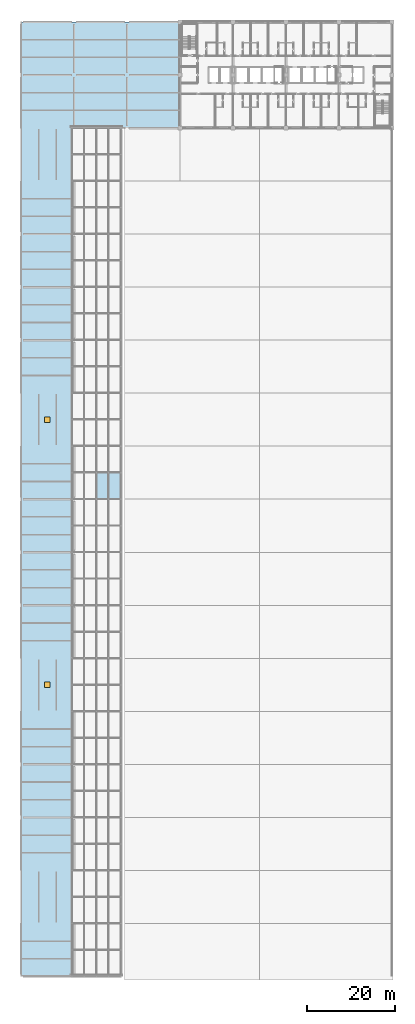
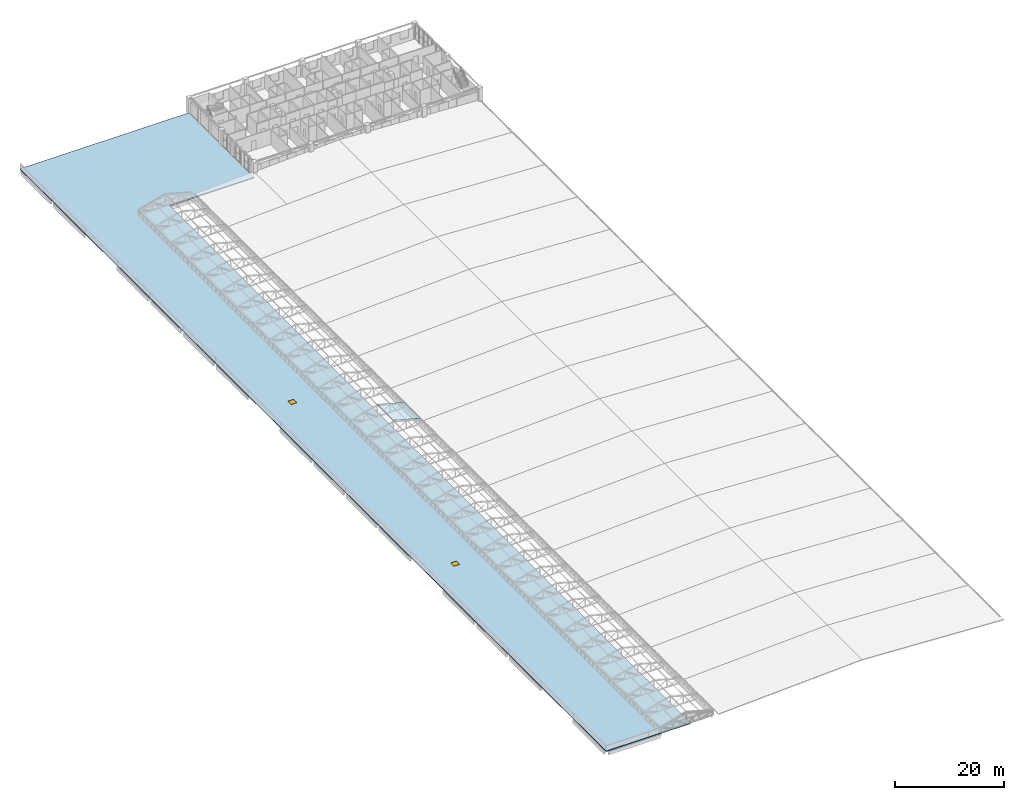
# One storey, part 81 of 94: 2 slabs, 2 windows, 2 openings.
"""IFC4 building model written with IfcOpenShell, lengths in metres."""

from ifc_helpers import new_model, si_unit, direction, frame, origin, origin_2d, place, context, subcontext, project, spatial, polyline, rectangle, outline, extrude, material, layer, layer_set, type_object, element, fill, save


model = new_model("IFC4")

# Units and contexts
model_context = context("Model", 3, precision=1e-05, world=origin(), true_north=direction((0.0, 1.0)))
body_context = subcontext(model_context, "Body", "Model", "MODEL_VIEW")
ifc_project = project(units=[si_unit("LENGTHUNIT", "METRE"), si_unit("AREAUNIT", "SQUARE_METRE"), si_unit("VOLUMEUNIT", "CUBIC_METRE"), si_unit("PLANEANGLEUNIT", "RADIAN"), si_unit("MASSUNIT", "GRAM", prefix="KILO")], contexts=[model_context])

# Site, building, storey
site_placement = place(None, origin())
site = spatial("IfcSite", under=ifc_project, at=site_placement, CompositionType="ELEMENT")
building_placement = place(site_placement, origin())
building = spatial("IfcBuilding", under=site, at=building_placement, Name="Lilac Gate Convention Centre", CompositionType="ELEMENT")
storey_placement = place(building_placement, frame((0.0, 0.0, 21.0)))
storey = spatial("IfcBuildingStorey", under=building, at=storey_placement, Name="L04", CompositionType="ELEMENT", Elevation=21.0)

# Slab
ifc_material_1 = material(Name="Low emissivity safety glass, bonded interlayer", Category="glass")
ifc_layer_1 = layer(ifc_material_1, 0.0400390625)
ifc_layer_set_1 = layer_set([ifc_layer_1], Name="Low emissivity safety glass, bonded interlayer")
slab_type_1 = type_object("IfcSlabType", Name="Lantern glazing panel 40", PredefinedType="ROOF", material=ifc_layer_set_1)
slab_1_placement = place(storey_placement, frame((23.10009765625, 138.0, 2.8955078125), z_axis=(0.263120842134, 0.0, 0.964762884047), x_axis=(0.964762884047, 0.0, -0.263120842134)))
element("IfcSlab", 1, at=slab_1_placement, inside=storey, type_object=slab_type_1, Name="Lantern glazing E 19", PredefinedType="ROOF", context=body_context, shape_type="SweptSolid", body=[
    extrude(outline(polyline([(0.0, 0.0), (6.011637453517294, 0.0), (6.011637453517294, 6.0), (0.0, 6.0), (0.0, 0.0)])), origin(), (0.0, 0.0, -1.0), 0.0400390625),
])

# Slab, openings, windows
ifc_material_2 = material(Name="Concrete C40", Category="concrete")
ifc_layer_2 = layer(ifc_material_2, 0.199951171875)
ifc_layer_set_2 = layer_set([ifc_layer_2], Name="Concrete C40")
slab_type_2 = type_object("IfcSlabType", Name="Roof slab 200 C40", PredefinedType="ROOF", material=ifc_layer_set_2)
slab_2_placement = place(storey_placement, frame((0.0, 0.0, -0.199951171875)))
slab_2 = element("IfcSlab", 2, at=slab_2_placement, inside=storey, type_object=slab_type_2, Name="RS1 stack roof slab 1", PredefinedType="ROOF", context=body_context, shape_type="SweptSolid", body=[
    extrude(outline(polyline([(6.0, 30.0), (6.0, 222.0), (6.0, 246.0), (42.0, 246.0), (42.0, 222.0), (24.0, 222.0), (24.0, 30.0), (18.0, 30.0), (6.0, 30.0)])), origin(), (0.0, 0.0, 1.0), 0.199951171875),
])
opening_1_placement = place(slab_2_placement, frame((12.0, 96.0, 0.0)))
opening_1 = element("IfcOpeningElement", 3, at=opening_1_placement, cuts=slab_2, Name="Opening RH1", PredefinedType="OPENING", context=body_context, shape_type="SweptSolid", body=[
    extrude(rectangle(XDim=1.199951171875, YDim=1.199951171875, at=origin_2d()), origin(), (0.0, 0.0, 1.0), 0.199951171875),
])
opening_2_placement = place(slab_2_placement, frame((12.0, 156.0, 0.0)))
opening_2 = element("IfcOpeningElement", 4, at=opening_2_placement, cuts=slab_2, Name="Opening RH1", PredefinedType="OPENING", context=body_context, shape_type="SweptSolid", body=[
    extrude(rectangle(XDim=1.199951171875, YDim=1.199951171875, at=origin_2d()), origin(), (0.0, 0.0, 1.0), 0.199951171875),
])
ifc_material_3 = material(Name="Aluminium framed double glazing", Category="aluminium")
window_type = type_object("IfcWindowType", Name="Roof access hatch 1200 x 1200", PartitioningType="SINGLE_PANEL", PredefinedType="SKYLIGHT", material=ifc_material_3)
window_1_placement = place(opening_1_placement, frame((0.0, 0.0, 0.14990234375)))
window_1 = element("IfcWindow", 5, at=window_1_placement, inside=storey, type_object=window_type, Name="Roof access hatch 1", OverallHeight=1.199951171875, OverallWidth=1.199951171875, PartitioningType="SINGLE_PANEL", PredefinedType="SKYLIGHT", context=body_context, shape_type="SweptSolid", body=[
    extrude(rectangle(XDim=1.199951171875, YDim=1.199951171875, at=origin_2d()), origin(), (0.0, 0.0, 1.0), 0.050048828125),
])
fill(opening_1, window_1)
window_2_placement = place(opening_2_placement, frame((0.0, 0.0, 0.14990234375)))
window_2 = element("IfcWindow", 6, at=window_2_placement, inside=storey, type_object=window_type, Name="Roof access hatch 2", OverallHeight=1.199951171875, OverallWidth=1.199951171875, PartitioningType="SINGLE_PANEL", PredefinedType="SKYLIGHT", context=body_context, shape_type="SweptSolid", body=[
    extrude(rectangle(XDim=1.199951171875, YDim=1.199951171875, at=origin_2d()), origin(), (0.0, 0.0, 1.0), 0.050048828125),
])
fill(opening_2, window_2)

save(model, "model.ifc")
